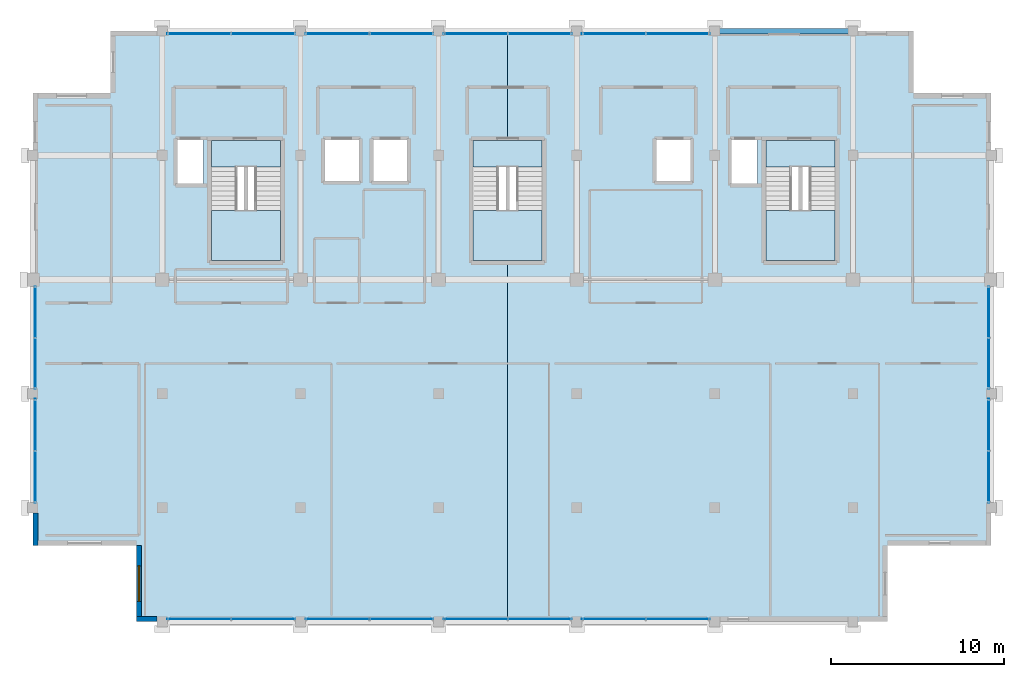
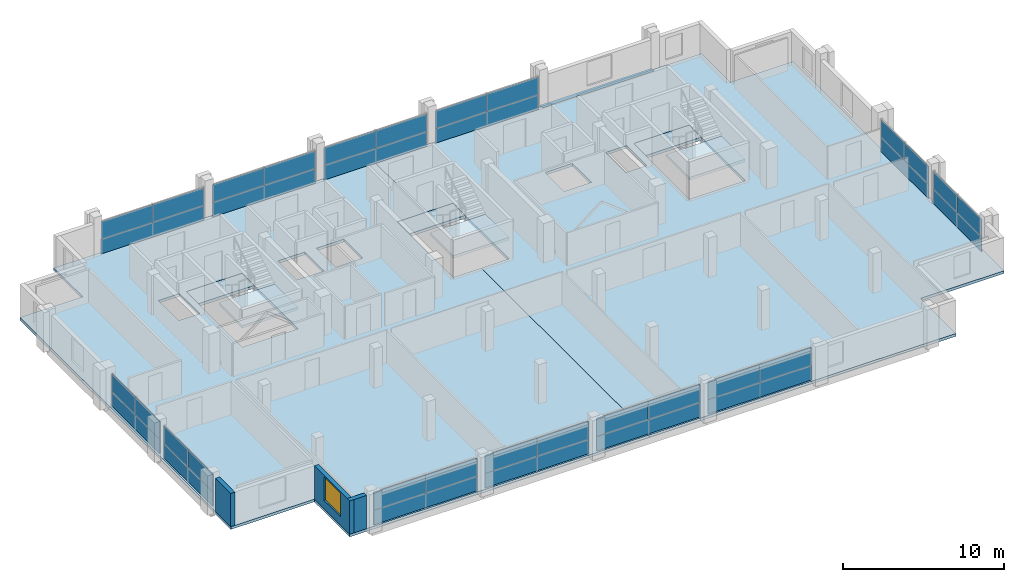
# One storey, part 19 of 24: 36 plates, 8 slabs, 3 walls, 1 beam, 1 window, 1 opening, 15 elements without a shape of their own.
"""IFC4 building model written with IfcOpenShell, lengths in metres."""

from ifc_helpers import new_model, si_unit, direction, frame, frame_2d, origin, origin_2d, place, context, subcontext, project, spatial, polyline, rectangle, outline, extrude, material, layer, layer_set, material_profile, profile_set, type_object, element, fill, aggregate, save


model = new_model("IFC4")

# Units and contexts
model_context = context("Model", 3, precision=1e-05, world=origin(), true_north=direction((0.0, 1.0)))
body_context = subcontext(model_context, "Body", "Model", "MODEL_VIEW")
ifc_project = project(units=[si_unit("LENGTHUNIT", "METRE"), si_unit("AREAUNIT", "SQUARE_METRE"), si_unit("VOLUMEUNIT", "CUBIC_METRE"), si_unit("PLANEANGLEUNIT", "RADIAN"), si_unit("MASSUNIT", "GRAM", prefix="KILO")], contexts=[model_context])

# Site, building, storey
site_placement = place(None, origin())
site = spatial("IfcSite", under=ifc_project, at=site_placement, CompositionType="ELEMENT")
building_placement = place(site_placement, origin())
building = spatial("IfcBuilding", under=site, at=building_placement, Name="Akrevak Sports Hall", CompositionType="ELEMENT")
storey_placement = place(building_placement, frame((0.0, 0.0, 63.300048828125)))
storey = spatial("IfcBuildingStorey", under=building, at=storey_placement, Name="L16", CompositionType="ELEMENT", Elevation=63.300048828125)

# Beam
ifc_material_1 = material(Name="Concrete C40/50", Category="concrete")
ifc_material_profile = material_profile(ifc_material_1, rectangle(XDim=0.320068359375, YDim=0.679931640625, at=origin_2d()), Name="SPD 320x680", Category="concrete")
ifc_profile_set = profile_set([ifc_material_profile], Name="Concrete C40/50")
beam_type = type_object("IfcBeamType", Name="STR-SPD-RC320x680", PredefinedType="SPANDREL", material=ifc_profile_set)
beam_placement = place(storey_placement, frame((92.0, 69.60009765625, -0.340087890625), z_axis=(1.0, 0.0, 0.0), x_axis=(0.0, 1.0, 0.0)))
element("IfcBeam", 1, at=beam_placement, inside=storey, type_object=beam_type, Name="Girder K/13-14 (L16)", PredefinedType="SPANDREL", context=body_context, shape_type="SweptSolid", body=[
    extrude(rectangle(XDim=0.320068359375, YDim=0.679931640625, at=origin_2d()), origin(), (0.0, 0.0, 1.0), 8.0),
])

# Curtain wall, plates
ifc_material_2 = material(Name="Anodized Bronze Aluminium & Low-E Glass", Category="aluminium")
curtain_wall_type = type_object("IfcCurtainWallType", Name="ARC-CW-TWR-72x30", PredefinedType="NOTDEFINED", material=ifc_material_2)
curtain_wall_1_placement = place(storey_placement, origin())
curtain_wall_1 = element("IfcCurtainWall", 2, at=curtain_wall_1_placement, inside=storey, type_object=curtain_wall_type, Name="Curtain Wall CW-L16-S02", PredefinedType="NOTDEFINED")
ifc_material_3 = material(Name="Double Low-E Tempered Glass", Category="glass")
ifc_layer_1 = layer(ifc_material_3, 0.031982421875, Name="Double Low-E Tempered Glass")
ifc_layer_set_1 = layer_set([ifc_layer_1], Name="Double Low-E Tempered Glass")
plate_type_1 = type_object("IfcPlateType", Name="ARC-CWP-GLZ-32", PredefinedType="CURTAIN_PANEL", material=ifc_layer_set_1)
plate_1_placement = place(storey_placement, frame((62.14990234375, 35.550048828125, 1.099853515625), z_axis=(0.0, 0.0, 1.0), x_axis=(1.0, 0.0, 0.0)))
plate_1 = element("IfcPlate", 3, at=plate_1_placement, type_object=plate_type_1, Name="Vision Glass Panel CW-L16-S02-G1", PredefinedType="CURTAIN_PANEL", context=body_context, shape_type="SweptSolid", body=[
    extrude(rectangle(XDim=3.699951171875, YDim=0.035888671875, at=origin_2d()), origin(), (0.0, 0.0, 1.0), 1.35009765625),
])
plate_2_placement = place(storey_placement, frame((65.85009765625, 35.550048828125, 1.099853515625), z_axis=(0.0, 0.0, 1.0), x_axis=(1.0, 0.0, 0.0)))
plate_2 = element("IfcPlate", 4, at=plate_2_placement, type_object=plate_type_1, Name="Vision Glass Panel CW-L16-S02-G2", PredefinedType="CURTAIN_PANEL", context=body_context, shape_type="SweptSolid", body=[
    extrude(rectangle(XDim=3.699951171875, YDim=0.035888671875, at=origin_2d()), origin(), (0.0, 0.0, 1.0), 1.35009765625),
])

curtain_wall_2_placement = place(storey_placement, origin())
curtain_wall_2 = element("IfcCurtainWall", 5, at=curtain_wall_2_placement, inside=storey, type_object=curtain_wall_type, Name="Curtain Wall CW-L16-S03", PredefinedType="NOTDEFINED")
plate_3_placement = place(storey_placement, frame((70.14990234375, 35.550048828125, 1.099853515625), z_axis=(0.0, 0.0, 1.0), x_axis=(1.0, 0.0, 0.0)))
plate_3 = element("IfcPlate", 6, at=plate_3_placement, type_object=plate_type_1, Name="Vision Glass Panel CW-L16-S03-G1", PredefinedType="CURTAIN_PANEL", context=body_context, shape_type="SweptSolid", body=[
    extrude(rectangle(XDim=3.699951171875, YDim=0.035888671875, at=origin_2d()), origin(), (0.0, 0.0, 1.0), 1.35009765625),
])
plate_4_placement = place(storey_placement, frame((73.85009765625, 35.550048828125, 1.099853515625), z_axis=(0.0, 0.0, 1.0), x_axis=(1.0, 0.0, 0.0)))
plate_4 = element("IfcPlate", 7, at=plate_4_placement, type_object=plate_type_1, Name="Vision Glass Panel CW-L16-S03-G2", PredefinedType="CURTAIN_PANEL", context=body_context, shape_type="SweptSolid", body=[
    extrude(rectangle(XDim=3.699951171875, YDim=0.035888671875, at=origin_2d()), origin(), (0.0, 0.0, 1.0), 1.35009765625),
])

curtain_wall_3_placement = place(storey_placement, origin())
curtain_wall_3 = element("IfcCurtainWall", 8, at=curtain_wall_3_placement, inside=storey, type_object=curtain_wall_type, Name="Curtain Wall CW-L16-S04", PredefinedType="NOTDEFINED")
plate_5_placement = place(storey_placement, frame((78.14990234375, 35.550048828125, 1.099853515625), z_axis=(0.0, 0.0, 1.0), x_axis=(1.0, 0.0, 0.0)))
plate_5 = element("IfcPlate", 9, at=plate_5_placement, type_object=plate_type_1, Name="Vision Glass Panel CW-L16-S04-G1", PredefinedType="CURTAIN_PANEL", context=body_context, shape_type="SweptSolid", body=[
    extrude(rectangle(XDim=3.699951171875, YDim=0.035888671875, at=origin_2d()), origin(), (0.0, 0.0, 1.0), 1.35009765625),
])
plate_6_placement = place(storey_placement, frame((81.85009765625, 35.550048828125, 1.099853515625), z_axis=(0.0, 0.0, 1.0), x_axis=(1.0, 0.0, 0.0)))
plate_6 = element("IfcPlate", 10, at=plate_6_placement, type_object=plate_type_1, Name="Vision Glass Panel CW-L16-S04-G2", PredefinedType="CURTAIN_PANEL", context=body_context, shape_type="SweptSolid", body=[
    extrude(rectangle(XDim=3.699951171875, YDim=0.035888671875, at=origin_2d()), origin(), (0.0, 0.0, 1.0), 1.35009765625),
])

curtain_wall_4_placement = place(storey_placement, origin())
curtain_wall_4 = element("IfcCurtainWall", 11, at=curtain_wall_4_placement, inside=storey, type_object=curtain_wall_type, Name="Curtain Wall CW-L16-S05", PredefinedType="NOTDEFINED")
plate_7_placement = place(storey_placement, frame((86.14990234375, 35.550048828125, 1.099853515625), z_axis=(0.0, 0.0, 1.0), x_axis=(1.0, 0.0, 0.0)))
plate_7 = element("IfcPlate", 12, at=plate_7_placement, type_object=plate_type_1, Name="Vision Glass Panel CW-L16-S05-G1", PredefinedType="CURTAIN_PANEL", context=body_context, shape_type="SweptSolid", body=[
    extrude(rectangle(XDim=3.699951171875, YDim=0.035888671875, at=origin_2d()), origin(), (0.0, 0.0, 1.0), 1.35009765625),
])
plate_8_placement = place(storey_placement, frame((89.85009765625, 35.550048828125, 1.099853515625), z_axis=(0.0, 0.0, 1.0), x_axis=(1.0, 0.0, 0.0)))
plate_8 = element("IfcPlate", 13, at=plate_8_placement, type_object=plate_type_1, Name="Vision Glass Panel CW-L16-S05-G2", PredefinedType="CURTAIN_PANEL", context=body_context, shape_type="SweptSolid", body=[
    extrude(rectangle(XDim=3.699951171875, YDim=0.035888671875, at=origin_2d()), origin(), (0.0, 0.0, 1.0), 1.35009765625),
])

curtain_wall_5_placement = place(storey_placement, origin())
curtain_wall_5 = element("IfcCurtainWall", 14, at=curtain_wall_5_placement, inside=storey, type_object=curtain_wall_type, Name="Curtain Wall CW-L16-E11", PredefinedType="NOTDEFINED")
plate_9_placement = place(storey_placement, frame((107.85009765625, 43.800048828125, 1.099853515625), z_axis=(0.0, 0.0, 1.0), x_axis=(0.0, 1.0, 0.0)))
plate_9 = element("IfcPlate", 15, at=plate_9_placement, type_object=plate_type_1, Name="Vision Glass Panel CW-L16-E11-G1", PredefinedType="CURTAIN_PANEL", context=body_context, shape_type="SweptSolid", body=[
    extrude(rectangle(XDim=3.0, YDim=0.035888671875, at=origin_2d()), origin(), (0.0, 0.0, 1.0), 1.35009765625),
])
plate_10_placement = place(storey_placement, frame((107.85009765625, 46.800048828125, 1.099853515625), z_axis=(0.0, 0.0, 1.0), x_axis=(0.0, 1.0, 0.0)))
plate_10 = element("IfcPlate", 16, at=plate_10_placement, type_object=plate_type_1, Name="Vision Glass Panel CW-L16-E11-G2", PredefinedType="CURTAIN_PANEL", context=body_context, shape_type="SweptSolid", body=[
    extrude(rectangle(XDim=3.0, YDim=0.035888671875, at=origin_2d()), origin(), (0.0, 0.0, 1.0), 1.35009765625),
])

curtain_wall_6_placement = place(storey_placement, origin())
curtain_wall_6 = element("IfcCurtainWall", 17, at=curtain_wall_6_placement, inside=storey, type_object=curtain_wall_type, Name="Curtain Wall CW-L16-E12", PredefinedType="NOTDEFINED")
plate_11_placement = place(storey_placement, frame((107.85009765625, 50.375, 1.099853515625), z_axis=(0.0, 0.0, 1.0), x_axis=(0.0, 1.0, 0.0)))
plate_11 = element("IfcPlate", 18, at=plate_11_placement, type_object=plate_type_1, Name="Vision Glass Panel CW-L16-E12-G1", PredefinedType="CURTAIN_PANEL", context=body_context, shape_type="SweptSolid", body=[
    extrude(rectangle(XDim=2.949951171875, YDim=0.035888671875, at=origin_2d()), origin(), (0.0, 0.0, 1.0), 1.35009765625),
])
plate_12_placement = place(storey_placement, frame((107.85009765625, 53.324951171875, 1.099853515625), z_axis=(0.0, 0.0, 1.0), x_axis=(0.0, 1.0, 0.0)))
plate_12 = element("IfcPlate", 19, at=plate_12_placement, type_object=plate_type_1, Name="Vision Glass Panel CW-L16-E12-G2", PredefinedType="CURTAIN_PANEL", context=body_context, shape_type="SweptSolid", body=[
    extrude(rectangle(XDim=2.949951171875, YDim=0.035888671875, at=origin_2d()), origin(), (0.0, 0.0, 1.0), 1.35009765625),
])

curtain_wall_7_placement = place(storey_placement, origin())
curtain_wall_7 = element("IfcCurtainWall", 20, at=curtain_wall_7_placement, inside=storey, type_object=curtain_wall_type, Name="Curtain Wall CW-L16-N19", PredefinedType="NOTDEFINED")
plate_13_placement = place(storey_placement, frame((89.85009765625, 69.449951171875, 1.099853515625), z_axis=(0.0, 0.0, 1.0), x_axis=(-1.0, 0.0, 0.0)))
plate_13 = element("IfcPlate", 21, at=plate_13_placement, type_object=plate_type_1, Name="Vision Glass Panel CW-L16-N19-G1", PredefinedType="CURTAIN_PANEL", context=body_context, shape_type="SweptSolid", body=[
    extrude(rectangle(XDim=3.699951171875, YDim=0.035888671875, at=origin_2d()), origin(), (0.0, 0.0, 1.0), 1.35009765625),
])
plate_14_placement = place(storey_placement, frame((86.14990234375, 69.449951171875, 1.099853515625), z_axis=(0.0, 0.0, 1.0), x_axis=(-1.0, 0.0, 0.0)))
plate_14 = element("IfcPlate", 22, at=plate_14_placement, type_object=plate_type_1, Name="Vision Glass Panel CW-L16-N19-G2", PredefinedType="CURTAIN_PANEL", context=body_context, shape_type="SweptSolid", body=[
    extrude(rectangle(XDim=3.699951171875, YDim=0.035888671875, at=origin_2d()), origin(), (0.0, 0.0, 1.0), 1.35009765625),
])

curtain_wall_8_placement = place(storey_placement, origin())
curtain_wall_8 = element("IfcCurtainWall", 23, at=curtain_wall_8_placement, inside=storey, type_object=curtain_wall_type, Name="Curtain Wall CW-L16-N20", PredefinedType="NOTDEFINED")
plate_15_placement = place(storey_placement, frame((81.85009765625, 69.449951171875, 1.099853515625), z_axis=(0.0, 0.0, 1.0), x_axis=(-1.0, 0.0, 0.0)))
plate_15 = element("IfcPlate", 24, at=plate_15_placement, type_object=plate_type_1, Name="Vision Glass Panel CW-L16-N20-G1", PredefinedType="CURTAIN_PANEL", context=body_context, shape_type="SweptSolid", body=[
    extrude(rectangle(XDim=3.699951171875, YDim=0.035888671875, at=origin_2d()), origin(), (0.0, 0.0, 1.0), 1.35009765625),
])
plate_16_placement = place(storey_placement, frame((78.14990234375, 69.449951171875, 1.099853515625), z_axis=(0.0, 0.0, 1.0), x_axis=(-1.0, 0.0, 0.0)))
plate_16 = element("IfcPlate", 25, at=plate_16_placement, type_object=plate_type_1, Name="Vision Glass Panel CW-L16-N20-G2", PredefinedType="CURTAIN_PANEL", context=body_context, shape_type="SweptSolid", body=[
    extrude(rectangle(XDim=3.699951171875, YDim=0.035888671875, at=origin_2d()), origin(), (0.0, 0.0, 1.0), 1.35009765625),
])

curtain_wall_9_placement = place(storey_placement, origin())
curtain_wall_9 = element("IfcCurtainWall", 26, at=curtain_wall_9_placement, inside=storey, type_object=curtain_wall_type, Name="Curtain Wall CW-L16-N21", PredefinedType="NOTDEFINED")
plate_17_placement = place(storey_placement, frame((73.85009765625, 69.449951171875, 1.099853515625), z_axis=(0.0, 0.0, 1.0), x_axis=(-1.0, 0.0, 0.0)))
plate_17 = element("IfcPlate", 27, at=plate_17_placement, type_object=plate_type_1, Name="Vision Glass Panel CW-L16-N21-G1", PredefinedType="CURTAIN_PANEL", context=body_context, shape_type="SweptSolid", body=[
    extrude(rectangle(XDim=3.699951171875, YDim=0.035888671875, at=origin_2d()), origin(), (0.0, 0.0, 1.0), 1.35009765625),
])
plate_18_placement = place(storey_placement, frame((70.14990234375, 69.449951171875, 1.099853515625), z_axis=(0.0, 0.0, 1.0), x_axis=(-1.0, 0.0, 0.0)))
plate_18 = element("IfcPlate", 28, at=plate_18_placement, type_object=plate_type_1, Name="Vision Glass Panel CW-L16-N21-G2", PredefinedType="CURTAIN_PANEL", context=body_context, shape_type="SweptSolid", body=[
    extrude(rectangle(XDim=3.699951171875, YDim=0.035888671875, at=origin_2d()), origin(), (0.0, 0.0, 1.0), 1.35009765625),
])

curtain_wall_10_placement = place(storey_placement, origin())
curtain_wall_10 = element("IfcCurtainWall", 29, at=curtain_wall_10_placement, inside=storey, type_object=curtain_wall_type, Name="Curtain Wall CW-L16-N22", PredefinedType="NOTDEFINED")
plate_19_placement = place(storey_placement, frame((65.85009765625, 69.449951171875, 1.099853515625), z_axis=(0.0, 0.0, 1.0), x_axis=(-1.0, 0.0, 0.0)))
plate_19 = element("IfcPlate", 30, at=plate_19_placement, type_object=plate_type_1, Name="Vision Glass Panel CW-L16-N22-G1", PredefinedType="CURTAIN_PANEL", context=body_context, shape_type="SweptSolid", body=[
    extrude(rectangle(XDim=3.699951171875, YDim=0.035888671875, at=origin_2d()), origin(), (0.0, 0.0, 1.0), 1.35009765625),
])
plate_20_placement = place(storey_placement, frame((62.14990234375, 69.449951171875, 1.099853515625), z_axis=(0.0, 0.0, 1.0), x_axis=(-1.0, 0.0, 0.0)))
plate_20 = element("IfcPlate", 31, at=plate_20_placement, type_object=plate_type_1, Name="Vision Glass Panel CW-L16-N22-G2", PredefinedType="CURTAIN_PANEL", context=body_context, shape_type="SweptSolid", body=[
    extrude(rectangle(XDim=3.699951171875, YDim=0.035888671875, at=origin_2d()), origin(), (0.0, 0.0, 1.0), 1.35009765625),
])

curtain_wall_11_placement = place(storey_placement, origin())
curtain_wall_11 = element("IfcCurtainWall", 32, at=curtain_wall_11_placement, inside=storey, type_object=curtain_wall_type, Name="Curtain Wall CW-L16-W28", PredefinedType="NOTDEFINED")
plate_21_placement = place(storey_placement, frame((52.64990234375, 53.324951171875, 1.099853515625), z_axis=(0.0, 0.0, 1.0), x_axis=(0.0, -1.0, 0.0)))
plate_21 = element("IfcPlate", 33, at=plate_21_placement, type_object=plate_type_1, Name="Vision Glass Panel CW-L16-W28-G1", PredefinedType="CURTAIN_PANEL", context=body_context, shape_type="SweptSolid", body=[
    extrude(rectangle(XDim=2.949951171875, YDim=0.035888671875, at=origin_2d()), origin(), (0.0, 0.0, 1.0), 1.35009765625),
])
plate_22_placement = place(storey_placement, frame((52.64990234375, 50.375, 1.099853515625), z_axis=(0.0, 0.0, 1.0), x_axis=(0.0, -1.0, 0.0)))
plate_22 = element("IfcPlate", 34, at=plate_22_placement, type_object=plate_type_1, Name="Vision Glass Panel CW-L16-W28-G2", PredefinedType="CURTAIN_PANEL", context=body_context, shape_type="SweptSolid", body=[
    extrude(rectangle(XDim=2.949951171875, YDim=0.035888671875, at=origin_2d()), origin(), (0.0, 0.0, 1.0), 1.35009765625),
])

curtain_wall_12_placement = place(storey_placement, origin())
curtain_wall_12 = element("IfcCurtainWall", 35, at=curtain_wall_12_placement, inside=storey, type_object=curtain_wall_type, Name="Curtain Wall CW-L16-W29", PredefinedType="NOTDEFINED")
plate_23_placement = place(storey_placement, frame((52.64990234375, 46.800048828125, 1.099853515625), z_axis=(0.0, 0.0, 1.0), x_axis=(0.0, -1.0, 0.0)))
plate_23 = element("IfcPlate", 36, at=plate_23_placement, type_object=plate_type_1, Name="Vision Glass Panel CW-L16-W29-G1", PredefinedType="CURTAIN_PANEL", context=body_context, shape_type="SweptSolid", body=[
    extrude(rectangle(XDim=3.0, YDim=0.035888671875, at=origin_2d()), origin(), (0.0, 0.0, 1.0), 1.35009765625),
])
plate_24_placement = place(storey_placement, frame((52.64990234375, 43.800048828125, 1.099853515625), z_axis=(0.0, 0.0, 1.0), x_axis=(0.0, -1.0, 0.0)))
plate_24 = element("IfcPlate", 37, at=plate_24_placement, type_object=plate_type_1, Name="Vision Glass Panel CW-L16-W29-G2", PredefinedType="CURTAIN_PANEL", context=body_context, shape_type="SweptSolid", body=[
    extrude(rectangle(XDim=3.0, YDim=0.035888671875, at=origin_2d()), origin(), (0.0, 0.0, 1.0), 1.35009765625),
])

# Plate
ifc_material_4 = material(Name="Insulated Bronze Spandrel Panel", Category="aluminium")
ifc_layer_2 = layer(ifc_material_4, 0.0400390625, Name="Insulated Bronze Spandrel Panel")
ifc_layer_set_2 = layer_set([ifc_layer_2], Name="Insulated Bronze Spandrel Panel")
plate_type_2 = type_object("IfcPlateType", Name="ARC-CWP-SPD-40", PredefinedType="CURTAIN_PANEL", material=ifc_layer_set_2)
plate_25_placement = place(storey_placement, frame((64.0, 35.550048828125, 0.0), z_axis=(0.0, 0.0, 1.0), x_axis=(1.0, 0.0, 0.0)))
plate_25 = element("IfcPlate", 38, at=plate_25_placement, type_object=plate_type_2, Name="Insulated Spandrel Panel CW-L16-S02-S1", PredefinedType="CURTAIN_PANEL", context=body_context, shape_type="SweptSolid", body=[
    extrude(rectangle(XDim=7.39990234375, YDim=0.0439453125, at=origin_2d()), origin(), (0.0, 0.0, 1.0), 1.10009765625),
])

aggregate(curtain_wall_1, [plate_1, plate_2, plate_25])

plate_26_placement = place(storey_placement, frame((72.0, 35.550048828125, 0.0), z_axis=(0.0, 0.0, 1.0), x_axis=(1.0, 0.0, 0.0)))
plate_26 = element("IfcPlate", 39, at=plate_26_placement, type_object=plate_type_2, Name="Insulated Spandrel Panel CW-L16-S03-S1", PredefinedType="CURTAIN_PANEL", context=body_context, shape_type="SweptSolid", body=[
    extrude(rectangle(XDim=7.39990234375, YDim=0.0439453125, at=origin_2d()), origin(), (0.0, 0.0, 1.0), 1.10009765625),
])

aggregate(curtain_wall_2, [plate_3, plate_4, plate_26])

plate_27_placement = place(storey_placement, frame((80.0, 35.550048828125, 0.0), z_axis=(0.0, 0.0, 1.0), x_axis=(1.0, 0.0, 0.0)))
plate_27 = element("IfcPlate", 40, at=plate_27_placement, type_object=plate_type_2, Name="Insulated Spandrel Panel CW-L16-S04-S1", PredefinedType="CURTAIN_PANEL", context=body_context, shape_type="SweptSolid", body=[
    extrude(rectangle(XDim=7.39990234375, YDim=0.0439453125, at=origin_2d()), origin(), (0.0, 0.0, 1.0), 1.10009765625),
])

aggregate(curtain_wall_3, [plate_5, plate_6, plate_27])

plate_28_placement = place(storey_placement, frame((88.0, 35.550048828125, 0.0), z_axis=(0.0, 0.0, 1.0), x_axis=(1.0, 0.0, 0.0)))
plate_28 = element("IfcPlate", 41, at=plate_28_placement, type_object=plate_type_2, Name="Insulated Spandrel Panel CW-L16-S05-S1", PredefinedType="CURTAIN_PANEL", context=body_context, shape_type="SweptSolid", body=[
    extrude(rectangle(XDim=7.39990234375, YDim=0.0439453125, at=origin_2d()), origin(), (0.0, 0.0, 1.0), 1.10009765625),
])

aggregate(curtain_wall_4, [plate_7, plate_8, plate_28])

plate_29_placement = place(storey_placement, frame((107.85009765625, 45.300048828125, 0.0), z_axis=(0.0, 0.0, 1.0), x_axis=(0.0, 1.0, 0.0)))
plate_29 = element("IfcPlate", 42, at=plate_29_placement, type_object=plate_type_2, Name="Insulated Spandrel Panel CW-L16-E11-S1", PredefinedType="CURTAIN_PANEL", context=body_context, shape_type="SweptSolid", body=[
    extrude(rectangle(XDim=6.0, YDim=0.0439453125, at=origin_2d()), origin(), (0.0, 0.0, 1.0), 1.10009765625),
])

aggregate(curtain_wall_5, [plate_9, plate_10, plate_29])

plate_30_placement = place(storey_placement, frame((107.85009765625, 51.85009765625, 0.0), z_axis=(0.0, 0.0, 1.0), x_axis=(0.0, 1.0, 0.0)))
plate_30 = element("IfcPlate", 43, at=plate_30_placement, type_object=plate_type_2, Name="Insulated Spandrel Panel CW-L16-E12-S1", PredefinedType="CURTAIN_PANEL", context=body_context, shape_type="SweptSolid", body=[
    extrude(rectangle(XDim=5.89990234375, YDim=0.0439453125, at=origin_2d()), origin(), (0.0, 0.0, 1.0), 1.10009765625),
])

aggregate(curtain_wall_6, [plate_11, plate_12, plate_30])

plate_31_placement = place(storey_placement, frame((88.0, 69.449951171875, 0.0), z_axis=(0.0, 0.0, 1.0), x_axis=(-1.0, 0.0, 0.0)))
plate_31 = element("IfcPlate", 44, at=plate_31_placement, type_object=plate_type_2, Name="Insulated Spandrel Panel CW-L16-N19-S1", PredefinedType="CURTAIN_PANEL", context=body_context, shape_type="SweptSolid", body=[
    extrude(rectangle(XDim=7.39990234375, YDim=0.0439453125, at=origin_2d()), origin(), (0.0, 0.0, 1.0), 1.10009765625),
])

aggregate(curtain_wall_7, [plate_13, plate_14, plate_31])

plate_32_placement = place(storey_placement, frame((80.0, 69.449951171875, 0.0), z_axis=(0.0, 0.0, 1.0), x_axis=(-1.0, 0.0, 0.0)))
plate_32 = element("IfcPlate", 45, at=plate_32_placement, type_object=plate_type_2, Name="Insulated Spandrel Panel CW-L16-N20-S1", PredefinedType="CURTAIN_PANEL", context=body_context, shape_type="SweptSolid", body=[
    extrude(rectangle(XDim=7.39990234375, YDim=0.0439453125, at=origin_2d()), origin(), (0.0, 0.0, 1.0), 1.10009765625),
])

aggregate(curtain_wall_8, [plate_15, plate_16, plate_32])

plate_33_placement = place(storey_placement, frame((72.0, 69.449951171875, 0.0), z_axis=(0.0, 0.0, 1.0), x_axis=(-1.0, 0.0, 0.0)))
plate_33 = element("IfcPlate", 46, at=plate_33_placement, type_object=plate_type_2, Name="Insulated Spandrel Panel CW-L16-N21-S1", PredefinedType="CURTAIN_PANEL", context=body_context, shape_type="SweptSolid", body=[
    extrude(rectangle(XDim=7.39990234375, YDim=0.0439453125, at=origin_2d()), origin(), (0.0, 0.0, 1.0), 1.10009765625),
])

aggregate(curtain_wall_9, [plate_17, plate_18, plate_33])

plate_34_placement = place(storey_placement, frame((64.0, 69.449951171875, 0.0), z_axis=(0.0, 0.0, 1.0), x_axis=(-1.0, 0.0, 0.0)))
plate_34 = element("IfcPlate", 47, at=plate_34_placement, type_object=plate_type_2, Name="Insulated Spandrel Panel CW-L16-N22-S1", PredefinedType="CURTAIN_PANEL", context=body_context, shape_type="SweptSolid", body=[
    extrude(rectangle(XDim=7.39990234375, YDim=0.0439453125, at=origin_2d()), origin(), (0.0, 0.0, 1.0), 1.10009765625),
])

aggregate(curtain_wall_10, [plate_19, plate_20, plate_34])

plate_35_placement = place(storey_placement, frame((52.64990234375, 51.85009765625, 0.0), z_axis=(0.0, 0.0, 1.0), x_axis=(0.0, -1.0, 0.0)))
plate_35 = element("IfcPlate", 48, at=plate_35_placement, type_object=plate_type_2, Name="Insulated Spandrel Panel CW-L16-W28-S1", PredefinedType="CURTAIN_PANEL", context=body_context, shape_type="SweptSolid", body=[
    extrude(rectangle(XDim=5.89990234375, YDim=0.0439453125, at=origin_2d()), origin(), (0.0, 0.0, 1.0), 1.10009765625),
])

aggregate(curtain_wall_11, [plate_21, plate_22, plate_35])

plate_36_placement = place(storey_placement, frame((52.64990234375, 45.300048828125, 0.0), z_axis=(0.0, 0.0, 1.0), x_axis=(0.0, -1.0, 0.0)))
plate_36 = element("IfcPlate", 49, at=plate_36_placement, type_object=plate_type_2, Name="Insulated Spandrel Panel CW-L16-W29-S1", PredefinedType="CURTAIN_PANEL", context=body_context, shape_type="SweptSolid", body=[
    extrude(rectangle(XDim=6.0, YDim=0.0439453125, at=origin_2d()), origin(), (0.0, 0.0, 1.0), 1.10009765625),
])

aggregate(curtain_wall_12, [plate_23, plate_24, plate_36])

# Slabs
ifc_layer_3 = layer(ifc_material_1, 0.2099609375, Name="Concrete C40/50")
ifc_layer_set_3 = layer_set([ifc_layer_3], Name="Concrete C40/50")
slab_type_1 = type_object("IfcSlabType", Name="STR-SLB-FLR-210", PredefinedType="FLOOR", material=ifc_layer_set_3)
slab_1_placement = place(storey_placement, frame((0.0, 0.0, -0.2099609375)))
element("IfcSlab", 50, at=slab_1_placement, inside=storey, type_object=slab_type_1, Name="Structural Floor Slab L16-1.1", PredefinedType="FLOOR", context=body_context, shape_type="SweptSolid", body=[
    extrude(outline(polyline([(58.5, 39.800048828125), (58.5, 35.39990234375), (80.0, 35.39990234375), (80.0, 56.300048828125), (78.0, 56.300048828125), (78.0, 63.25), (80.0, 63.25), (80.0, 69.60009765625), (57.0, 69.60009765625), (57.0, 66.0), (52.5, 66.0), (52.5, 39.800048828125), (58.5, 39.800048828125)]), holes=[polyline([(62.85009765625, 63.25), (66.85009765625, 63.25), (66.85009765625, 56.300048828125), (62.85009765625, 56.300048828125), (62.85009765625, 63.25)]), polyline([(60.8701171875, 63.280029296875), (62.3798828125, 63.280029296875), (62.3798828125, 60.77001953125), (60.8701171875, 60.77001953125), (60.8701171875, 63.280029296875)]), polyline([(69.419921875, 63.280029296875), (71.3798828125, 63.280029296875), (71.3798828125, 60.919921875), (69.419921875, 60.919921875), (69.419921875, 63.280029296875)]), polyline([(72.219970703125, 63.280029296875), (74.179931640625, 63.280029296875), (74.179931640625, 60.919921875), (72.219970703125, 60.919921875), (72.219970703125, 63.280029296875)])]), origin(), (0.0, 0.0, 1.0), 0.2099609375),
])
slab_2_placement = place(storey_placement, frame((0.0, 0.0, -0.2099609375)))
element("IfcSlab", 51, at=slab_2_placement, inside=storey, type_object=slab_type_1, Name="Structural Floor Slab L16-2.1", PredefinedType="FLOOR", context=body_context, shape_type="SweptSolid", body=[
    extrude(outline(polyline([(80.0, 69.60009765625), (80.0, 63.25), (82.0, 63.25), (82.0, 56.300048828125), (80.0, 56.300048828125), (80.0, 35.39990234375), (102.0, 35.39990234375), (102.0, 39.800048828125), (108.0, 39.800048828125), (108.0, 66.0), (103.5, 66.0), (103.5, 69.60009765625), (80.0, 69.60009765625)]), holes=[polyline([(94.949951171875, 63.25), (98.949951171875, 63.25), (98.949951171875, 56.300048828125), (94.949951171875, 56.300048828125), (94.949951171875, 63.25)]), polyline([(92.969970703125, 63.280029296875), (94.47998046875, 63.280029296875), (94.47998046875, 60.77001953125), (92.969970703125, 60.77001953125), (92.969970703125, 63.280029296875)]), polyline([(88.6201171875, 63.280029296875), (90.580078125, 63.280029296875), (90.580078125, 60.919921875), (88.6201171875, 60.919921875), (88.6201171875, 63.280029296875)])]), origin(), (0.0, 0.0, 1.0), 0.2099609375),
])

# Stair, slab
stair_type = type_object("IfcStairType", Name="ARC-STR-DOG-325", PredefinedType="HALF_TURN_STAIR", material=ifc_material_1)
stair_1_placement = place(storey_placement, origin())
stair_1 = element("IfcStair", 52, at=stair_1_placement, inside=storey, type_object=stair_type, Name="Protected Exit Stair ST1 (L16 to L17)", PredefinedType="HALF_TURN_STAIR")
ifc_layer_4 = layer(ifc_material_1, 0.199951171875, Name="Concrete C40/50")
ifc_layer_set_4 = layer_set([ifc_layer_4], Name="Concrete C40/50")
slab_type_2 = type_object("IfcSlabType", Name="STR-SLB-LAND-200", PredefinedType="LANDING", material=ifc_layer_set_4)
slab_3_placement = place(storey_placement, frame((0.0, 0.0, 1.425048828125)))
slab_3 = element("IfcSlab", 53, at=slab_3_placement, type_object=slab_type_2, Name="Stair ST1 Half-Landing 1 (L16)", PredefinedType="LANDING", context=body_context, shape_type="SweptSolid", body=[
    extrude(outline(polyline([(62.85009765625, 56.300048828125), (66.85009765625, 56.300048828125), (66.85009765625, 59.215087890625), (62.85009765625, 59.215087890625), (62.85009765625, 56.300048828125)])), origin(), (0.0, 0.0, 1.0), 0.199951171875),
])
aggregate(stair_1, [slab_3])

stair_2_placement = place(storey_placement, origin())
stair_2 = element("IfcStair", 54, at=stair_2_placement, inside=storey, type_object=stair_type, Name="Protected Exit Stair ST2 (L16 to L17)", PredefinedType="HALF_TURN_STAIR")
slab_4_placement = place(storey_placement, frame((0.0, 0.0, 1.425048828125)))
slab_4 = element("IfcSlab", 55, at=slab_4_placement, type_object=slab_type_2, Name="Stair ST2 Half-Landing 1 (L16)", PredefinedType="LANDING", context=body_context, shape_type="SweptSolid", body=[
    extrude(outline(polyline([(94.949951171875, 56.300048828125), (98.949951171875, 56.300048828125), (98.949951171875, 59.215087890625), (94.949951171875, 59.215087890625), (94.949951171875, 56.300048828125)])), origin(), (0.0, 0.0, 1.0), 0.199951171875),
])
aggregate(stair_2, [slab_4])

stair_3_placement = place(storey_placement, origin())
stair_3 = element("IfcStair", 56, at=stair_3_placement, inside=storey, type_object=stair_type, Name="Protected Exit Stair ST3 (L16 to L17)", PredefinedType="HALF_TURN_STAIR")
slab_5_placement = place(storey_placement, frame((0.0, 0.0, 1.425048828125)))
slab_5 = element("IfcSlab", 57, at=slab_5_placement, type_object=slab_type_2, Name="Stair ST3 Half-Landing 1 (L16)", PredefinedType="LANDING", context=body_context, shape_type="SweptSolid", body=[
    extrude(outline(polyline([(78.0, 56.300048828125), (82.0, 56.300048828125), (82.0, 59.215087890625), (78.0, 59.215087890625), (78.0, 56.300048828125)])), origin(), (0.0, 0.0, 1.0), 0.199951171875),
])
aggregate(stair_3, [slab_5])

# Slabs
ifc_layer_5 = layer(ifc_material_1, 0.219970703125, Name="Concrete C40/50")
ifc_layer_set_5 = layer_set([ifc_layer_5], Name="Concrete C40/50")
slab_type_3 = type_object("IfcSlabType", Name="STR-SLB-LAND-220", PredefinedType="LANDING", material=ifc_layer_set_5)
slab_6_placement = place(storey_placement, frame((0.0, 0.0, -0.219970703125)))
element("IfcSlab", 58, at=slab_6_placement, inside=storey, type_object=slab_type_3, Name="Stair ST1 Floor Landing (L16)", PredefinedType="LANDING", context=body_context, shape_type="SweptSolid", body=[
    extrude(outline(polyline([(62.85009765625, 61.735107421875), (66.85009765625, 61.735107421875), (66.85009765625, 63.25), (62.85009765625, 63.25), (62.85009765625, 61.735107421875)])), origin(), (0.0, 0.0, 1.0), 0.219970703125),
])
slab_7_placement = place(storey_placement, frame((0.0, 0.0, -0.219970703125)))
element("IfcSlab", 59, at=slab_7_placement, inside=storey, type_object=slab_type_3, Name="Stair ST2 Floor Landing (L16)", PredefinedType="LANDING", context=body_context, shape_type="SweptSolid", body=[
    extrude(outline(polyline([(94.949951171875, 61.735107421875), (98.949951171875, 61.735107421875), (98.949951171875, 63.25), (94.949951171875, 63.25), (94.949951171875, 61.735107421875)])), origin(), (0.0, 0.0, 1.0), 0.219970703125),
])
slab_8_placement = place(storey_placement, frame((0.0, 0.0, -0.219970703125)))
element("IfcSlab", 60, at=slab_8_placement, inside=storey, type_object=slab_type_3, Name="Stair ST3 Floor Landing (L16)", PredefinedType="LANDING", context=body_context, shape_type="SweptSolid", body=[
    extrude(outline(polyline([(78.0, 61.735107421875), (82.0, 61.735107421875), (82.0, 63.25), (78.0, 63.25), (78.0, 61.735107421875)])), origin(), (0.0, 0.0, 1.0), 0.219970703125),
])

# Walls
ifc_material_5 = material(Name="Limestone Ashlar", Category="stone")
ifc_layer_6 = layer(ifc_material_5, 0.06005859375, Name="Limestone Ashlar")
ifc_material_6 = material(Name="Mineral Wool Thermal Insulation", Category="insulation")
ifc_layer_7 = layer(ifc_material_6, 0.090087890625, Name="Mineral Wool Thermal Insulation")
ifc_layer_8 = layer(ifc_material_1, 0.14990234375, Name="Concrete C40/50")
ifc_layer_set_6 = layer_set([ifc_layer_6, ifc_layer_7, ifc_layer_8], Name="Limestone Ashlar / Mineral Wool Thermal Insulation / Concrete C40/50")
wall_type = type_object("IfcWallType", Name="ARC-WL-EXT-300", PredefinedType="SOLIDWALL", material=ifc_layer_set_6)
wall_1_placement = place(storey_placement, frame((58.5, 35.550048828125, 0.0), z_axis=(0.0, 0.0, 1.0), x_axis=(1.0, 0.0, 0.0)))
element("IfcWall", 61, at=wall_1_placement, inside=storey, type_object=wall_type, Name="Tower Stone Facade Wall L16-S01", PredefinedType="SOLIDWALL", context=body_context, shape_type="SweptSolid", body=[
    extrude(rectangle(XDim=1.199951171875, YDim=0.300048828125, at=frame_2d((0.60009765625, 0.0))), origin(), (0.0, 0.0, 1.0), 2.530029296875),
])
wall_2_placement = place(storey_placement, frame((52.64990234375, 41.699951171875, 0.0), z_axis=(0.0, 0.0, 1.0), x_axis=(0.0, -1.0, 0.0)))
element("IfcWall", 62, at=wall_2_placement, inside=storey, type_object=wall_type, Name="Tower Stone Facade Wall L16-W30", PredefinedType="SOLIDWALL", context=body_context, shape_type="SweptSolid", body=[
    extrude(rectangle(XDim=1.89990234375, YDim=0.300048828125, at=frame_2d((0.949951171875, 0.0))), origin(), (0.0, 0.0, 1.0), 2.530029296875),
])

# Wall, opening, window
wall_3_placement = place(storey_placement, frame((58.64990234375, 39.800048828125, 0.0), z_axis=(0.0, 0.0, 1.0), x_axis=(0.0, -1.0, 0.0)))
wall_3 = element("IfcWall", 63, at=wall_3_placement, inside=storey, type_object=wall_type, Name="Tower Stone Facade Wall L16-W32", PredefinedType="SOLIDWALL", context=body_context, shape_type="SweptSolid", body=[
    extrude(rectangle(XDim=4.400146484375, YDim=0.300048828125, at=frame_2d((2.2001953125, 0.0))), origin(), (0.0, 0.0, 1.0), 2.530029296875),
])
opening_placement = place(wall_3_placement, frame((1.175048828125, 0.0, 0.6201171875)))
opening = element("IfcOpeningElement", 64, at=opening_placement, cuts=wall_3, Name="Opening WN-53", PredefinedType="OPENING", context=body_context, shape_type="SweptSolid", body=[
    extrude(rectangle(XDim=2.050048828125, YDim=1.81005859375, at=frame_2d((1.02490234375, 0.905029296875))), frame((0.0, 0.162109375, 0.0), z_axis=(0.0, -1.0, 0.0), x_axis=(1.0, 0.0, 0.0)), (0.0, 0.0, 1.0), 0.323974609375),
])
ifc_material_7 = material(Name="Thermally Broken Bronze Frame & Double Low-E Glass", Category="glass")
window_type = type_object("IfcWindowType", Name="ARC-WIN-SZ-2050x1810", PartitioningType="SINGLE_PANEL", PredefinedType="WINDOW", material=ifc_material_7)
window_placement = place(opening_placement, origin())
window = element("IfcWindow", 65, at=window_placement, inside=storey, type_object=window_type, Name="Tower Window L16-W32", OverallHeight=1.81005859375, OverallWidth=2.050048828125, PartitioningType="SINGLE_PANEL", PredefinedType="WINDOW", context=body_context, shape_type="SweptSolid", body=[
    extrude(rectangle(XDim=2.050048828125, YDim=1.81005859375, at=frame_2d((1.02490234375, 0.905029296875))), frame((0.0, 0.030029296875, 0.0), z_axis=(0.0, -1.0, 0.0), x_axis=(1.0, 0.0, 0.0)), (0.0, 0.0, 1.0), 0.06005859375),
])
fill(opening, window)

save(model, "model.ifc")
